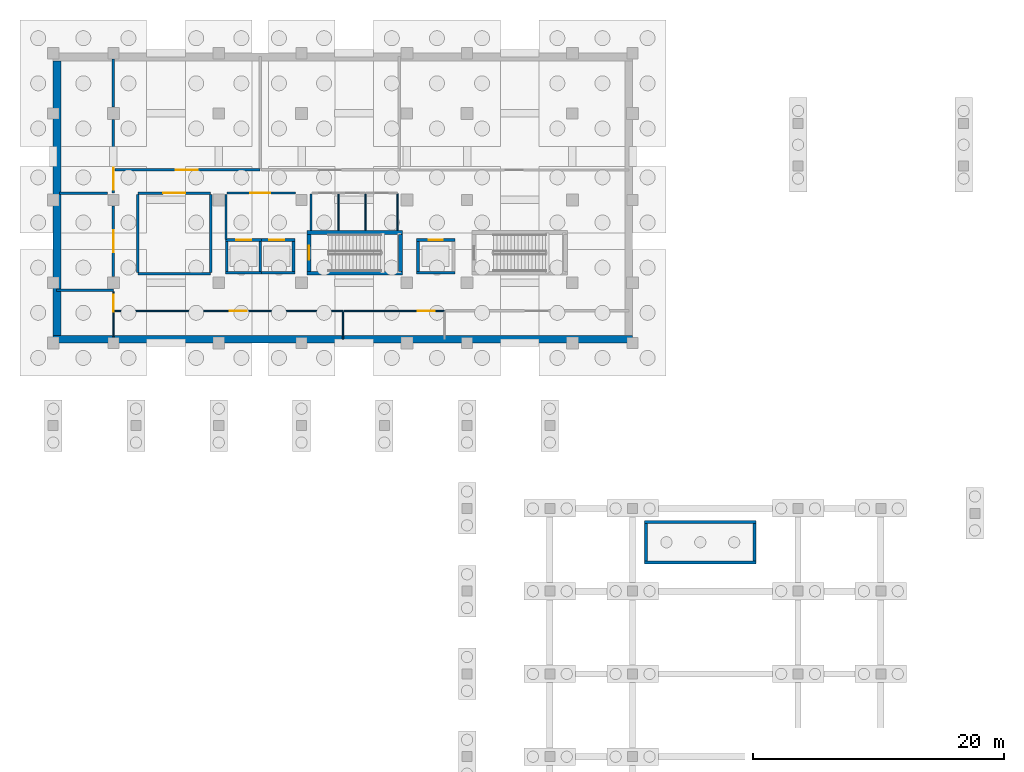
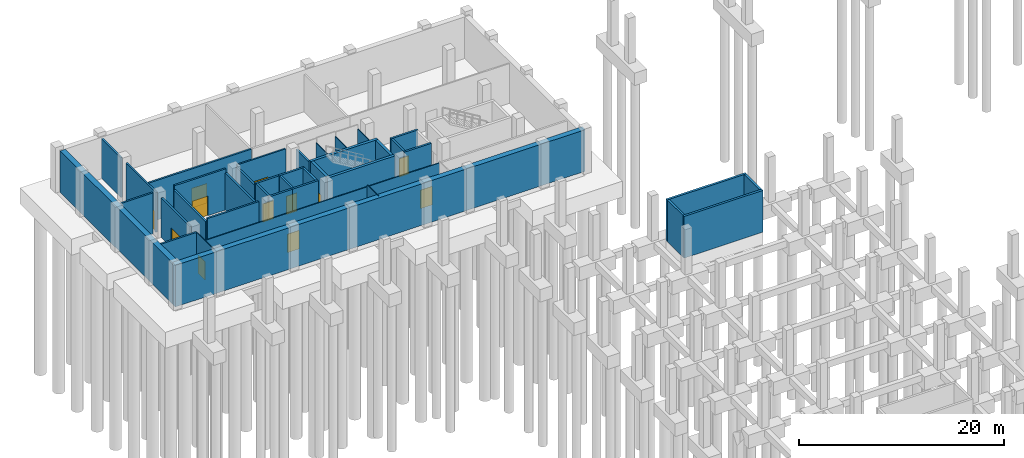
# One storey, part 10 of 23: 40 walls, 12 doors, 12 openings.
"""IFC4 building model written with IfcOpenShell, lengths in metres."""

from ifc_helpers import new_model, si_unit, direction, frame, frame_2d, origin, place, context, subcontext, project, spatial, rectangle, extrude, material, layer, layer_set, type_object, element, fill, save


model = new_model("IFC4")

# Units and contexts
model_context = context("Model", 3, precision=1e-05, world=origin(), true_north=direction((0.0, 1.0)))
body_context = subcontext(model_context, "Body", "Model", "MODEL_VIEW")
ifc_project = project(units=[si_unit("LENGTHUNIT", "METRE"), si_unit("AREAUNIT", "SQUARE_METRE"), si_unit("VOLUMEUNIT", "CUBIC_METRE"), si_unit("PLANEANGLEUNIT", "RADIAN"), si_unit("MASSUNIT", "GRAM", prefix="KILO")], contexts=[model_context])

# Site, building, storey
site_placement = place(None, origin())
site = spatial("IfcSite", under=ifc_project, at=site_placement, CompositionType="ELEMENT")
building_placement = place(site_placement, origin())
building = spatial("IfcBuilding", under=site, at=building_placement, Name="Dornvale Research Institute", CompositionType="ELEMENT")
storey_placement = place(building_placement, frame((0.0, 0.0, -5.39990234375)))
storey = spatial("IfcBuildingStorey", under=building, at=storey_placement, Name="B1", CompositionType="ELEMENT", Elevation=-5.39990234375)

# Wall, opening, door
ifc_material_1 = material(Name="Fire-Rated Gypsum Board on Cold-Formed Steel Studs", Category="steel")
ifc_layer_1 = layer(ifc_material_1, 0.179931640625)
ifc_layer_set_1 = layer_set([ifc_layer_1], Name="Fire-Rated Gypsum Board on Cold-Formed Steel Studs")
wall_type_1 = type_object("IfcWallType", Name="Partition_FireLobby_180", PredefinedType="PARTITIONING", material=ifc_layer_set_1)
wall_1_placement = place(storey_placement, frame((13.85009765625, 110.949951171875, 0.0), z_axis=(0.0, 0.0, 1.0), x_axis=(1.0, 0.0, 0.0)))
wall_1 = element("IfcWall", 1, at=wall_1_placement, inside=storey, type_object=wall_type_1, Name="B1 Fire Service Access Elevator Lobby north rated partition", PredefinedType="PARTITIONING", context=body_context, shape_type="SweptSolid", body=[
    extrude(rectangle(XDim=5.449951171875, YDim=0.179931640625, at=frame_2d((2.72509765625, 0.0))), origin(), (0.0, 0.0, 1.0), 4.89501953125),
])
opening_1_placement = place(wall_1_placement, frame((1.85009765625, 0.0, 0.0)))
opening_1 = element("IfcOpeningElement", 2, at=opening_1_placement, cuts=wall_1, Name="Opening FD-01", PredefinedType="OPENING", context=body_context, shape_type="SweptSolid", body=[
    extrude(rectangle(XDim=1.60009765625, YDim=2.25, at=frame_2d((0.800048828125, 1.125))), frame((0.0, 0.10498046875, 0.0), z_axis=(0.0, -1.0, 0.0), x_axis=(1.0, 0.0, 0.0)), (0.0, 0.0, 1.0), 0.2099609375),
])
ifc_material_2 = material(Name="Insulated Fire-Rated Hollow Metal Door Assembly")
door_type_1 = type_object("IfcDoorType", Name="Door_FireLobby_1600x2250", OperationType="SINGLE_SWING_LEFT", PredefinedType="DOOR", material=ifc_material_2)
door_1_placement = place(opening_1_placement, origin())
door_1 = element("IfcDoor", 3, at=door_1_placement, inside=storey, type_object=door_type_1, Name="B1 Fire Service Access Elevator Lobby door", OperationType="DOUBLE_DOOR_SINGLE_SWING", OverallHeight=2.25, OverallWidth=1.60009765625, PredefinedType="DOOR", context=body_context, shape_type="SweptSolid", body=[
    extrude(rectangle(XDim=1.60009765625, YDim=2.25, at=frame_2d((0.800048828125, 1.125))), frame((0.0, 0.02490234375, 0.0), z_axis=(0.0, -1.0, 0.0), x_axis=(1.0, 0.0, 0.0)), (0.0, 0.0, 1.0), 0.050048828125),
])
fill(opening_1, door_1)

# Walls
wall_2_placement = place(storey_placement, frame((13.780029296875, 107.22998046875, 0.0), z_axis=(0.0, 0.0, 1.0), x_axis=(0.0, 1.0, 0.0)))
element("IfcWall", 4, at=wall_2_placement, inside=storey, type_object=wall_type_1, Name="B1 Fire Service Access Elevator Lobby west rated partition", PredefinedType="PARTITIONING", context=body_context, shape_type="SweptSolid", body=[
    extrude(rectangle(XDim=3.610107421875, YDim=0.179931640625, at=frame_2d((1.80517578125, 0.0))), origin(), (0.0, 0.0, 1.0), 4.72998046875),
])
wall_3_placement = place(storey_placement, frame((20.56005859375, 107.97998046875, 0.0), z_axis=(0.0, 0.0, 1.0), x_axis=(0.0, 1.0, 0.0)))
element("IfcWall", 5, at=wall_3_placement, inside=storey, type_object=wall_type_1, Name="B1 Fire Service Access Elevator Lobby east rated partition", PredefinedType="PARTITIONING", context=body_context, shape_type="SweptSolid", body=[
    extrude(rectangle(XDim=2.909912109375, YDim=0.179931640625, at=frame_2d((1.455078125, 0.0))), origin(), (0.0, 0.0, 1.0), 4.429931640625),
])
ifc_material_3 = material(Name="Fire-Rated Gypsum Board on Cold-Formed Steel Studs", Category="steel")
ifc_layer_2 = layer(ifc_material_3, 0.199951171875)
ifc_layer_set_2 = layer_set([ifc_layer_2], Name="Fire-Rated Gypsum Board on Cold-Formed Steel Studs")
wall_type_2 = type_object("IfcWallType", Name="Partition_FireWall_200", PredefinedType="PARTITIONING", material=ifc_layer_set_2)
wall_4_placement = place(storey_placement, frame((6.75, 104.5, 0.0), z_axis=(0.0, 0.0, 1.0), x_axis=(1.0, 0.0, 0.0)))
element("IfcWall", 6, at=wall_4_placement, inside=storey, type_object=wall_type_2, Name="B1 V5 interior partition #7", PredefinedType="PARTITIONING", context=body_context, shape_type="SweptSolid", body=[
    extrude(rectangle(XDim=5.800048828125, YDim=0.199951171875, at=frame_2d((2.89990234375, 0.0))), origin(), (0.0, 0.0, 1.0), 4.89501953125),
])

# Wall, opening, door
wall_5_placement = place(storey_placement, frame((6.75, 110.949951171875, 0.0), z_axis=(0.0, 0.0, 1.0), x_axis=(1.0, 0.0, 0.0)))
wall_5 = element("IfcWall", 7, at=wall_5_placement, inside=storey, type_object=wall_type_2, Name="B1 V5 interior partition #8", PredefinedType="PARTITIONING", context=body_context, shape_type="SweptSolid", body=[
    extrude(rectangle(XDim=5.800048828125, YDim=0.199951171875, at=frame_2d((2.89990234375, 0.0))), origin(), (0.0, 0.0, 1.0), 4.89501953125),
])
opening_2_placement = place(wall_5_placement, frame((2.02001953125, 0.0, 0.0)))
opening_2 = element("IfcOpeningElement", 8, at=opening_2_placement, cuts=wall_5, Name="Opening ID-14", PredefinedType="OPENING", context=body_context, shape_type="SweptSolid", body=[
    extrude(rectangle(XDim=1.760009765625, YDim=2.35009765625, at=frame_2d((0.8798828125, 1.175048828125))), frame((0.0, 0.114990234375, 0.0), z_axis=(0.0, -1.0, 0.0), x_axis=(1.0, 0.0, 0.0)), (0.0, 0.0, 1.0), 0.22998046875),
])
ifc_material_4 = material(Name="Insulated Fire-Rated Hollow Metal Door Assembly")
door_type_2 = type_object("IfcDoorType", Name="Door_Plant_1760x2350", OperationType="SINGLE_SWING_LEFT", PredefinedType="DOOR", material=ifc_material_4)
door_2_placement = place(opening_2_placement, origin())
door_2 = element("IfcDoor", 9, at=door_2_placement, inside=storey, type_object=door_type_2, Name="B1 Emergency Power Battery Room door #4", OperationType="DOUBLE_DOOR_SINGLE_SWING", OverallHeight=2.35009765625, OverallWidth=1.760009765625, PredefinedType="DOOR", context=body_context, shape_type="SweptSolid", body=[
    extrude(rectangle(XDim=1.760009765625, YDim=2.35009765625, at=frame_2d((0.8798828125, 1.175048828125))), frame((0.0, 0.02490234375, 0.0), z_axis=(0.0, -1.0, 0.0), x_axis=(1.0, 0.0, 0.0)), (0.0, 0.0, 1.0), 0.050048828125),
])
fill(opening_2, door_2)

# Walls
for number, where, z_axis, x_axis, name in (
    (10, (6.75, 104.614990234375, 0.0), (0.0, 0.0, 1.0), (0.0, 1.0, 0.0), "B1 V5 interior partition #9"),
    (11, (12.550048828125, 104.614990234375, 0.0), (0.0, 0.0, 1.0), (0.0, 1.0, 0.0), "B1 V5 interior partition #10"),
):
    element("IfcWall", number, at=place(storey_placement, frame(where, z_axis=z_axis, x_axis=x_axis)), inside=storey, type_object=wall_type_2, Name=name, PredefinedType="PARTITIONING", context=body_context, shape_type="SweptSolid", body=[
        extrude(rectangle(XDim=6.219970703125, YDim=0.199951171875, at=frame_2d((3.10986328125, 0.0))), origin(), (0.0, 0.0, 1.0), 4.429931640625),
    ])
wall_6_placement = place(storey_placement, frame((0.280029296875, 103.199951171875, 0.0), z_axis=(0.0, 0.0, 1.0), x_axis=(1.0, 0.0, 0.0)))
element("IfcWall", 12, at=wall_6_placement, inside=storey, type_object=wall_type_2, Name="B1 V5 interior partition #11", PredefinedType="PARTITIONING", context=body_context, shape_type="SweptSolid", body=[
    extrude(rectangle(XDim=4.52001953125, YDim=0.199951171875, at=frame_2d((2.260009765625, 0.0))), origin(), (0.0, 0.0, 1.0), 4.72998046875),
])
wall_7_placement = place(storey_placement, frame((0.4951171875, 110.949951171875, 0.0), z_axis=(0.0, 0.0, 1.0), x_axis=(1.0, 0.0, 0.0)))
element("IfcWall", 13, at=wall_7_placement, inside=storey, type_object=wall_type_2, Name="B1 V5 interior partition #12", PredefinedType="PARTITIONING", context=body_context, shape_type="SweptSolid", body=[
    extrude(rectangle(XDim=3.8349609375, YDim=0.199951171875, at=frame_2d((1.91748046875, 0.0))), origin(), (0.0, 0.0, 1.0), 4.89501953125),
])

# Wall, opening, door
wall_8_placement = place(storey_placement, frame((4.800048828125, 104.294921875, 0.0), z_axis=(0.0, 0.0, 1.0), x_axis=(0.0, 1.0, 0.0)))
wall_8 = element("IfcWall", 14, at=wall_8_placement, inside=storey, type_object=wall_type_2, Name="B1 V5 interior partition #13", PredefinedType="PARTITIONING", context=body_context, shape_type="SweptSolid", body=[
    extrude(rectangle(XDim=5.635009765625, YDim=0.199951171875, at=frame_2d((2.8173828125, 0.0))), origin(), (0.0, 0.0, 1.0), 4.72998046875),
])
opening_3_placement = place(wall_8_placement, frame((1.925048828125, 0.0, 0.0)))
opening_3 = element("IfcOpeningElement", 15, at=opening_3_placement, cuts=wall_8, Name="Opening ID-14", PredefinedType="OPENING", context=body_context, shape_type="SweptSolid", body=[
    extrude(rectangle(XDim=1.760009765625, YDim=2.35009765625, at=frame_2d((0.8798828125, 1.175048828125))), frame((0.0, 0.114990234375, 0.0), z_axis=(0.0, -1.0, 0.0), x_axis=(1.0, 0.0, 0.0)), (0.0, 0.0, 1.0), 0.22998046875),
])
door_3_placement = place(opening_3_placement, origin())
door_3 = element("IfcDoor", 16, at=door_3_placement, inside=storey, type_object=door_type_2, Name="B1 Fire Pump and Standpipe Manifold Room door #5", OperationType="DOUBLE_DOOR_SINGLE_SWING", OverallHeight=2.35009765625, OverallWidth=1.760009765625, PredefinedType="DOOR", context=body_context, shape_type="SweptSolid", body=[
    extrude(rectangle(XDim=1.760009765625, YDim=2.35009765625, at=frame_2d((0.8798828125, 1.175048828125))), frame((0.0, 0.02490234375, 0.0), z_axis=(0.0, -1.0, 0.0), x_axis=(1.0, 0.0, 0.0)), (0.0, 0.0, 1.0), 0.050048828125),
])
fill(opening_3, door_3)

wall_9_placement = place(storey_placement, frame((4.800048828125, 110.949951171875, 0.0), z_axis=(0.0, 0.0, 1.0), x_axis=(0.0, 1.0, 0.0)))
wall_9 = element("IfcWall", 17, at=wall_9_placement, inside=storey, type_object=wall_type_2, Name="B1 V5 interior partition #14", PredefinedType="PARTITIONING", context=body_context, shape_type="SweptSolid", body=[
    extrude(rectangle(XDim=5.85498046875, YDim=0.199951171875, at=frame_2d((2.927490234375, 0.0))), origin(), (0.0, 0.0, 1.0), 4.72998046875),
])
opening_4_placement = place(wall_9_placement, frame((0.25, 0.0, 0.0)))
opening_4 = element("IfcOpeningElement", 18, at=opening_4_placement, cuts=wall_9, Name="Opening ID-14", PredefinedType="OPENING", context=body_context, shape_type="SweptSolid", body=[
    extrude(rectangle(XDim=1.760009765625, YDim=2.35009765625, at=frame_2d((0.8798828125, 1.175048828125))), frame((0.0, 0.114990234375, 0.0), z_axis=(0.0, -1.0, 0.0), x_axis=(1.0, 0.0, 0.0)), (0.0, 0.0, 1.0), 0.22998046875),
])
door_4_placement = place(opening_4_placement, origin())
door_4 = element("IfcDoor", 19, at=door_4_placement, inside=storey, type_object=door_type_2, Name="B1 Uninterruptible Power Supply Plant Room West Alcove door #6", OperationType="DOUBLE_DOOR_SINGLE_SWING", OverallHeight=2.35009765625, OverallWidth=1.760009765625, PredefinedType="DOOR", context=body_context, shape_type="SweptSolid", body=[
    extrude(rectangle(XDim=1.760009765625, YDim=2.35009765625, at=frame_2d((0.8798828125, 1.175048828125))), frame((0.0, 0.02490234375, 0.0), z_axis=(0.0, -1.0, 0.0), x_axis=(1.0, 0.0, 0.0)), (0.0, 0.0, 1.0), 0.050048828125),
])
fill(opening_4, door_4)

# Wall
wall_10_placement = place(storey_placement, frame((4.800048828125, 117.794921875, 0.0), z_axis=(0.0, 0.0, 1.0), x_axis=(0.0, 1.0, 0.0)))
element("IfcWall", 20, at=wall_10_placement, inside=storey, type_object=wall_type_2, Name="B1 V5 interior partition #15", PredefinedType="PARTITIONING", context=body_context, shape_type="SweptSolid", body=[
    extrude(rectangle(XDim=3.8349609375, YDim=0.199951171875, at=frame_2d((1.91748046875, 0.0))), origin(), (0.0, 0.0, 1.0), 4.72998046875),
])

# Wall, opening, door
wall_11_placement = place(storey_placement, frame((4.9150390625, 112.800048828125, 0.0), z_axis=(0.0, 0.0, 1.0), x_axis=(1.0, 0.0, 0.0)))
wall_11 = element("IfcWall", 21, at=wall_11_placement, inside=storey, type_object=wall_type_2, Name="B1 V5 interior partition #16", PredefinedType="PARTITIONING", context=body_context, shape_type="SweptSolid", body=[
    extrude(rectangle(XDim=11.5849609375, YDim=0.199951171875, at=frame_2d((5.79248046875, 0.0))), origin(), (0.0, 0.0, 1.0), 4.72998046875),
])
opening_5_placement = place(wall_11_placement, frame((4.85498046875, 0.0, 0.0)))
opening_5 = element("IfcOpeningElement", 22, at=opening_5_placement, cuts=wall_11, Name="Opening ID-14", PredefinedType="OPENING", context=body_context, shape_type="SweptSolid", body=[
    extrude(rectangle(XDim=1.760009765625, YDim=2.35009765625, at=frame_2d((0.8798828125, 1.175048828125))), frame((0.0, 0.114990234375, 0.0), z_axis=(0.0, -1.0, 0.0), x_axis=(1.0, 0.0, 0.0)), (0.0, 0.0, 1.0), 0.22998046875),
])
door_5_placement = place(opening_5_placement, origin())
door_5 = element("IfcDoor", 23, at=door_5_placement, inside=storey, type_object=door_type_2, Name="B1 Uninterruptible Power Supply Plant Room door #7", OperationType="DOUBLE_DOOR_SINGLE_SWING", OverallHeight=2.35009765625, OverallWidth=1.760009765625, PredefinedType="DOOR", context=body_context, shape_type="SweptSolid", body=[
    extrude(rectangle(XDim=1.760009765625, YDim=2.35009765625, at=frame_2d((0.8798828125, 1.175048828125))), frame((0.0, 0.02490234375, 0.0), z_axis=(0.0, -1.0, 0.0), x_axis=(1.0, 0.0, 0.0)), (0.0, 0.0, 1.0), 0.050048828125),
])
fill(opening_5, door_5)

# Walls
ifc_material_5 = material(Name="Acoustic Insulated Double-Stud Laboratory Partition")
ifc_layer_3 = layer(ifc_material_5, 0.10009765625)
ifc_layer_set_3 = layer_set([ifc_layer_3], Name="Acoustic Insulated Double-Stud Laboratory Partition")
wall_type_3 = type_object("IfcWallType", Name="Partition_Office_100", PredefinedType="PARTITIONING", material=ifc_layer_set_3)
for number, where, z_axis, x_axis, name in (
    (24, (22.75, 107.97998046875, 0.0), (0.0, 0.0, 1.0), (0.0, 1.0, 0.0), "B1 V5 interior partition #2"),
    (25, (24.89990234375, 107.97998046875, 0.0), (0.0, 0.0, 1.0), (0.0, 1.0, 0.0), "B1 V5 interior partition #4"),
    (26, (27.449951171875, 107.97998046875, 0.0), (0.0, 0.0, 1.0), (0.0, 1.0, 0.0), "B1 V5 interior partition #6"),
):
    element("IfcWall", number, at=place(storey_placement, frame(where, z_axis=z_axis, x_axis=x_axis)), inside=storey, type_object=wall_type_3, Name=name, PredefinedType="PARTITIONING", context=body_context, shape_type="SweptSolid", body=[
        extrude(rectangle(XDim=2.905029296875, YDim=0.10009765625, at=frame_2d((1.45263671875, 0.0))), origin(), (0.0, 0.0, 1.0), 4.429931640625),
    ])

# Wall, opening, door
wall_12_placement = place(storey_placement, frame((4.800048828125, 99.469970703125, 0.0), z_axis=(0.0, 0.0, 1.0), x_axis=(0.0, 1.0, 0.0)))
wall_12 = element("IfcWall", 27, at=wall_12_placement, inside=storey, type_object=wall_type_3, Name="B1 V5 interior partition #21", PredefinedType="PARTITIONING", context=body_context, shape_type="SweptSolid", body=[
    extrude(rectangle(XDim=3.614990234375, YDim=0.10009765625, at=frame_2d((1.8076171875, 0.0))), origin(), (0.0, 0.0, 1.0), 4.72998046875),
])
opening_6_placement = place(wall_12_placement, frame((2.02490234375, 0.0, 0.0)))
opening_6 = element("IfcOpeningElement", 28, at=opening_6_placement, cuts=wall_12, Name="Opening ID-15", PredefinedType="OPENING", context=body_context, shape_type="SweptSolid", body=[
    extrude(rectangle(XDim=1.340087890625, YDim=2.199951171875, at=frame_2d((0.669921875, 1.10009765625))), frame((0.0, 0.06494140625, 0.0), z_axis=(0.0, -1.0, 0.0), x_axis=(1.0, 0.0, 0.0)), (0.0, 0.0, 1.0), 0.130126953125),
])
ifc_material_6 = material(Name="Insulated Fire-Rated Hollow Metal Door Assembly")
door_type_3 = type_object("IfcDoorType", Name="Door_Storage_1340x2200", OperationType="SINGLE_SWING_LEFT", PredefinedType="DOOR", material=ifc_material_6)
door_6_placement = place(opening_6_placement, origin())
door_6 = element("IfcDoor", 29, at=door_6_placement, inside=storey, type_object=door_type_3, Name="B1 Bicycle Repair and Locker Vestibule door #10", OperationType="SINGLE_SWING_LEFT", OverallHeight=2.199951171875, OverallWidth=1.340087890625, PredefinedType="DOOR", context=body_context, shape_type="SweptSolid", body=[
    extrude(rectangle(XDim=1.340087890625, YDim=2.199951171875, at=frame_2d((0.669921875, 1.10009765625))), frame((0.0, 0.02490234375, 0.0), z_axis=(0.0, -1.0, 0.0), x_axis=(1.0, 0.0, 0.0)), (0.0, 0.0, 1.0), 0.050048828125),
])
fill(opening_6, door_6)

wall_13_placement = place(storey_placement, frame((4.864990234375, 101.550048828125, 0.0), z_axis=(0.0, 0.0, 1.0), x_axis=(1.0, 0.0, 0.0)))
wall_13 = element("IfcWall", 30, at=wall_13_placement, inside=storey, type_object=wall_type_3, Name="B1 V5 interior partition #22", PredefinedType="PARTITIONING", context=body_context, shape_type="SweptSolid", body=[
    extrude(rectangle(XDim=18.235107421875, YDim=0.10009765625, at=frame_2d((9.11767578125, 0.0))), origin(), (0.0, 0.0, 1.0), 4.72998046875),
])
opening_7_placement = place(wall_13_placement, frame((9.215087890625, 0.0, 0.0)))
opening_7 = element("IfcOpeningElement", 31, at=opening_7_placement, cuts=wall_13, Name="Opening ID-15", PredefinedType="OPENING", context=body_context, shape_type="SweptSolid", body=[
    extrude(rectangle(XDim=1.340087890625, YDim=2.199951171875, at=frame_2d((0.669921875, 1.10009765625))), frame((0.0, 0.06494140625, 0.0), z_axis=(0.0, -1.0, 0.0), x_axis=(1.0, 0.0, 0.0)), (0.0, 0.0, 1.0), 0.130126953125),
])
door_7_placement = place(opening_7_placement, origin())
door_7 = element("IfcDoor", 32, at=door_7_placement, inside=storey, type_object=door_type_3, Name="B1 Bicycle Storage Room (96 Spaces) door #11", OperationType="SINGLE_SWING_RIGHT", OverallHeight=2.199951171875, OverallWidth=1.340087890625, PredefinedType="DOOR", context=body_context, shape_type="SweptSolid", body=[
    extrude(rectangle(XDim=1.340087890625, YDim=2.199951171875, at=frame_2d((0.669921875, 1.10009765625))), frame((0.0, 0.02490234375, 0.0), z_axis=(0.0, -1.0, 0.0), x_axis=(1.0, 0.0, 0.0)), (0.0, 0.0, 1.0), 0.050048828125),
])
fill(opening_7, door_7)

# Wall
wall_14_placement = place(storey_placement, frame((23.10009765625, 99.280029296875, 0.0), z_axis=(0.0, 0.0, 1.0), x_axis=(0.0, 1.0, 0.0)))
element("IfcWall", 33, at=wall_14_placement, inside=storey, type_object=wall_type_3, Name="B1 V5 interior partition #23", PredefinedType="PARTITIONING", context=body_context, shape_type="SweptSolid", body=[
    extrude(rectangle(XDim=2.205078125, YDim=0.10009765625, at=frame_2d((1.1025390625, 0.0))), origin(), (0.0, 0.0, 1.0), 4.9599609375),
])

# Wall, opening, door
wall_15_placement = place(storey_placement, frame((23.1650390625, 101.550048828125, 0.0), z_axis=(0.0, 0.0, 1.0), x_axis=(1.0, 0.0, 0.0)))
wall_15 = element("IfcWall", 34, at=wall_15_placement, inside=storey, type_object=wall_type_3, Name="B1 V5 interior partition #24", PredefinedType="PARTITIONING", context=body_context, shape_type="SweptSolid", body=[
    extrude(rectangle(XDim=8.034912109375, YDim=0.10009765625, at=frame_2d((4.017578125, 0.0))), origin(), (0.0, 0.0, 1.0), 4.72998046875),
])
opening_8_placement = place(wall_15_placement, frame((5.9150390625, 0.0, 0.0)))
opening_8 = element("IfcOpeningElement", 35, at=opening_8_placement, cuts=wall_15, Name="Opening ID-15", PredefinedType="OPENING", context=body_context, shape_type="SweptSolid", body=[
    extrude(rectangle(XDim=1.340087890625, YDim=2.199951171875, at=frame_2d((0.669921875, 1.10009765625))), frame((0.0, 0.06494140625, 0.0), z_axis=(0.0, -1.0, 0.0), x_axis=(1.0, 0.0, 0.0)), (0.0, 0.0, 1.0), 0.130126953125),
])
door_8_placement = place(opening_8_placement, origin())
door_8 = element("IfcDoor", 36, at=door_8_placement, inside=storey, type_object=door_type_3, Name="B1 Cyclist Shower and Locker Suite door #12", OperationType="SINGLE_SWING_LEFT", OverallHeight=2.199951171875, OverallWidth=1.340087890625, PredefinedType="DOOR", context=body_context, shape_type="SweptSolid", body=[
    extrude(rectangle(XDim=1.340087890625, YDim=2.199951171875, at=frame_2d((0.669921875, 1.10009765625))), frame((0.0, 0.02490234375, 0.0), z_axis=(0.0, -1.0, 0.0), x_axis=(1.0, 0.0, 0.0)), (0.0, 0.0, 1.0), 0.050048828125),
])
fill(opening_8, door_8)

# Walls
ifc_material_7 = material(Name="Concrete f'c 40 MPa (C32/40)", Category="concrete")
ifc_layer_4 = layer(ifc_material_7, 0.60009765625)
ifc_layer_set_4 = layer_set([ifc_layer_4], Name="Concrete f'c 40 MPa (C32/40)")
wall_type_4 = type_object("IfcWallType", Name="RetainingWall_RC600_Ext", PredefinedType="USERDEFINED", material=ifc_layer_set_4)
wall_16_placement = place(storey_placement, frame((0.0, 99.300048828125, 0.0), z_axis=(0.0, 0.0, 1.0), x_axis=(1.0, 0.0, 0.0)))
element("IfcWall", 37, at=wall_16_placement, inside=storey, type_object=wall_type_4, Name="Basement perimeter retaining wall #1", ObjectType="RETAININGWALL", PredefinedType="USERDEFINED", context=body_context, shape_type="SweptSolid", body=[
    extrude(rectangle(XDim=46.199951171875, YDim=0.60009765625, at=frame_2d((23.10009765625, 0.0))), origin(), (0.0, 0.0, 1.0), 4.9599609375),
])
wall_17_placement = place(storey_placement, frame((0.300048828125, 99.60009765625, 0.0), z_axis=(0.0, 0.0, 1.0), x_axis=(0.0, 1.0, 0.0)))
element("IfcWall", 38, at=wall_17_placement, inside=storey, type_object=wall_type_4, Name="Basement perimeter retaining wall #3", ObjectType="RETAININGWALL", PredefinedType="USERDEFINED", context=body_context, shape_type="SweptSolid", body=[
    extrude(rectangle(XDim=21.89990234375, YDim=0.60009765625, at=frame_2d((10.949951171875, 0.0))), origin(), (0.0, 0.0, 1.0), 4.9599609375),
])
ifc_material_8 = material(Name="Concrete f'c 45 MPa (C35/45)", Category="concrete")
ifc_layer_5 = layer(ifc_material_8, 0.25)
ifc_layer_set_5 = layer_set([ifc_layer_5], Name="Concrete f'c 45 MPa (C35/45)")
wall_type_5 = type_object("IfcWallType", Name="ShearWall_Core_250", PredefinedType="SHEAR", material=ifc_layer_set_5)
for number, where, z_axis, x_axis, name in (
    (39, (47.14990234375, 81.47509765625, 0.0), (0.0, 0.0, 1.0), (1.0, 0.0, 0.0), "B1 ST-8 foundation shaft wall south"),
    (40, (47.14990234375, 84.72509765625, 0.0), (0.0, 0.0, 1.0), (1.0, 0.0, 0.0), "B1 ST-8 foundation shaft wall north"),
):
    element("IfcWall", number, at=place(storey_placement, frame(where, z_axis=z_axis, x_axis=x_axis)), inside=storey, type_object=wall_type_5, Name=name, PredefinedType="SHEAR", context=body_context, shape_type="SweptSolid", body=[
        extrude(rectangle(XDim=8.900146484375, YDim=0.25, at=frame_2d((4.4501953125, 0.0))), origin(), (0.0, 0.0, 1.0), 4.97998046875),
    ])
for number, where, z_axis, x_axis, name in (
    (41, (47.27490234375, 81.60009765625, 0.0), (0.0, 0.0, 1.0), (0.0, 1.0, 0.0), "B1 ST-8 foundation shaft wall west"),
    (42, (55.925048828125, 81.60009765625, 0.0), (0.0, 0.0, 1.0), (0.0, 1.0, 0.0), "B1 ST-8 foundation shaft wall east"),
):
    element("IfcWall", number, at=place(storey_placement, frame(where, z_axis=z_axis, x_axis=x_axis)), inside=storey, type_object=wall_type_5, Name=name, PredefinedType="SHEAR", context=body_context, shape_type="SweptSolid", body=[
        extrude(rectangle(XDim=3.0, YDim=0.25, at=frame_2d((1.5, 0.0))), origin(), (0.0, 0.0, 1.0), 4.97998046875),
    ])
ifc_material_9 = material(Name="Concrete f'c 50 MPa (C40/50)", Category="concrete")
ifc_layer_6 = layer(ifc_material_9, 0.300048828125)
ifc_layer_set_6 = layer_set([ifc_layer_6], Name="Concrete f'c 50 MPa (C40/50)")
wall_type_6 = type_object("IfcWallType", Name="ShearWall_Core_300", PredefinedType="SHEAR", material=ifc_layer_set_6)
for number, where, z_axis, x_axis, name in (
    (43, (20.25, 104.550048828125, 0.0), (0.0, 0.0, 1.0), (1.0, 0.0, 0.0), "B1 ST-1 shaft shear wall south"),
    (44, (20.25, 107.81005859375, 0.0), (0.0, 0.0, 1.0), (1.0, 0.0, 0.0), "B1 ST-1 shaft shear wall north"),
):
    element("IfcWall", number, at=place(storey_placement, frame(where, z_axis=z_axis, x_axis=x_axis)), inside=storey, type_object=wall_type_6, Name=name, PredefinedType="SHEAR", context=body_context, shape_type="SweptSolid", body=[
        extrude(rectangle(XDim=7.60009765625, YDim=0.300048828125, at=frame_2d((3.800048828125, 0.0))), origin(), (0.0, 0.0, 1.0), 4.97998046875),
    ])

# Wall, opening, door
wall_18_placement = place(storey_placement, frame((20.39990234375, 104.699951171875, 0.0), z_axis=(0.0, 0.0, 1.0), x_axis=(0.0, 1.0, 0.0)))
wall_18 = element("IfcWall", 45, at=wall_18_placement, inside=storey, type_object=wall_type_6, Name="B1 ST-1 shaft shear wall west", PredefinedType="SHEAR", context=body_context, shape_type="SweptSolid", body=[
    extrude(rectangle(XDim=2.9599609375, YDim=0.300048828125, at=frame_2d((1.47998046875, 0.0))), origin(), (0.0, 0.0, 1.0), 4.97998046875),
])
opening_9_placement = place(wall_18_placement, frame((0.919921875, 0.0, 0.0)))
opening_9 = element("IfcOpeningElement", 46, at=opening_9_placement, cuts=wall_18, Name="Opening SD-01", PredefinedType="OPENING", context=body_context, shape_type="SweptSolid", body=[
    extrude(rectangle(XDim=1.1201171875, YDim=2.199951171875, at=frame_2d((0.56005859375, 1.10009765625))), frame((0.0, 0.1650390625, 0.0), z_axis=(0.0, -1.0, 0.0), x_axis=(1.0, 0.0, 0.0)), (0.0, 0.0, 1.0), 0.330078125),
])
ifc_material_10 = material(Name="Insulated Fire-Rated Hollow Metal Door Assembly")
door_type_4 = type_object("IfcDoorType", Name="Door_Stair_1120x2200", OperationType="SINGLE_SWING_LEFT", PredefinedType="DOOR", material=ifc_material_10)
door_9_placement = place(opening_9_placement, origin())
door_9 = element("IfcDoor", 47, at=door_9_placement, inside=storey, type_object=door_type_4, Name="B1 ST-1 exit stair door #1", OperationType="SINGLE_SWING_LEFT", OverallHeight=2.199951171875, OverallWidth=1.1201171875, PredefinedType="DOOR", context=body_context, shape_type="SweptSolid", body=[
    extrude(rectangle(XDim=1.1201171875, YDim=2.199951171875, at=frame_2d((0.56005859375, 1.10009765625))), frame((0.0, 0.02490234375, 0.0), z_axis=(0.0, -1.0, 0.0), x_axis=(1.0, 0.0, 0.0)), (0.0, 0.0, 1.0), 0.050048828125),
])
fill(opening_9, door_9)

# Walls
wall_19_placement = place(storey_placement, frame((27.699951171875, 104.699951171875, 0.0), z_axis=(0.0, 0.0, 1.0), x_axis=(0.0, 1.0, 0.0)))
element("IfcWall", 48, at=wall_19_placement, inside=storey, type_object=wall_type_6, Name="B1 ST-1 shaft shear wall east", PredefinedType="SHEAR", context=body_context, shape_type="SweptSolid", body=[
    extrude(rectangle(XDim=2.9599609375, YDim=0.300048828125, at=frame_2d((1.47998046875, 0.0))), origin(), (0.0, 0.0, 1.0), 4.97998046875),
])
ifc_material_11 = material(Name="Concrete f'c 45 MPa (C35/45)", Category="concrete")
ifc_layer_7 = layer(ifc_material_11, 0.219970703125)
ifc_layer_set_7 = layer_set([ifc_layer_7], Name="Concrete f'c 45 MPa (C35/45)")
wall_type_7 = type_object("IfcWallType", Name="ShearWall_Shaft_220", PredefinedType="SHEAR", material=ifc_layer_set_7)
wall_20_placement = place(storey_placement, frame((13.72998046875, 104.590087890625, 0.0), z_axis=(0.0, 0.0, 1.0), x_axis=(1.0, 0.0, 0.0)))
element("IfcWall", 49, at=wall_20_placement, inside=storey, type_object=wall_type_7, Name="B1 FS1 elevator shaft wall south", PredefinedType="SHEAR", context=body_context, shape_type="SweptSolid", body=[
    extrude(rectangle(XDim=2.89013671875, YDim=0.219970703125, at=frame_2d((1.445068359375, 0.0))), origin(), (0.0, 0.0, 1.0), 4.97998046875),
])

# Wall, opening, door
wall_21_placement = place(storey_placement, frame((13.72998046875, 107.2099609375, 0.0), z_axis=(0.0, 0.0, 1.0), x_axis=(1.0, 0.0, 0.0)))
wall_21 = element("IfcWall", 50, at=wall_21_placement, inside=storey, type_object=wall_type_7, Name="B1 FS1 elevator shaft wall north", PredefinedType="SHEAR", context=body_context, shape_type="SweptSolid", body=[
    extrude(rectangle(XDim=2.89013671875, YDim=0.219970703125, at=frame_2d((1.445068359375, 0.0))), origin(), (0.0, 0.0, 1.0), 4.97998046875),
])
opening_10_placement = place(wall_21_placement, frame((0.844970703125, 0.0, 0.0)))
opening_10 = element("IfcOpeningElement", 51, at=opening_10_placement, cuts=wall_21, Name="Opening LD-01", PredefinedType="OPENING", context=body_context, shape_type="SweptSolid", body=[
    extrude(rectangle(XDim=1.199951171875, YDim=2.199951171875, at=frame_2d((0.60009765625, 1.10009765625))), frame((0.0, 0.125, 0.0), z_axis=(0.0, -1.0, 0.0), x_axis=(1.0, 0.0, 0.0)), (0.0, 0.0, 1.0), 0.25),
])
ifc_material_12 = material(Name="Brushed Stainless Steel Sliding Elevator Landing Door", Category="steel")
door_type_5 = type_object("IfcDoorType", Name="Door_LiftLanding_FSAE_1200x2200", OperationType="SINGLE_SWING_LEFT", PredefinedType="DOOR", material=ifc_material_12)
door_10_placement = place(opening_10_placement, origin())
door_10 = element("IfcDoor", 52, at=door_10_placement, inside=storey, type_object=door_type_5, Name="B1 FS1 sliding elevator landing door #1", OperationType="DOUBLE_DOOR_SLIDING", OverallHeight=2.199951171875, OverallWidth=1.199951171875, PredefinedType="DOOR", context=body_context, shape_type="SweptSolid", body=[
    extrude(rectangle(XDim=1.199951171875, YDim=2.199951171875, at=frame_2d((0.60009765625, 1.10009765625))), frame((0.0, 0.02490234375, 0.0), z_axis=(0.0, -1.0, 0.0), x_axis=(1.0, 0.0, 0.0)), (0.0, 0.0, 1.0), 0.050048828125),
])
fill(opening_10, door_10)

# Walls
for number, where, z_axis, x_axis, name in (
    (53, (13.840087890625, 104.699951171875, 0.0), (0.0, 0.0, 1.0), (0.0, 1.0, 0.0), "B1 FS1 elevator shaft wall west"),
    (54, (16.510009765625, 104.699951171875, 0.0), (0.0, 0.0, 1.0), (0.0, 1.0, 0.0), "B1 FS1 elevator shaft wall east"),
):
    element("IfcWall", number, at=place(storey_placement, frame(where, z_axis=z_axis, x_axis=x_axis)), inside=storey, type_object=wall_type_7, Name=name, PredefinedType="SHEAR", context=body_context, shape_type="SweptSolid", body=[
        extrude(rectangle(XDim=2.400146484375, YDim=0.219970703125, at=frame_2d((1.2001953125, 0.0))), origin(), (0.0, 0.0, 1.0), 4.97998046875),
    ])
wall_22_placement = place(storey_placement, frame((16.3798828125, 104.590087890625, 0.0), z_axis=(0.0, 0.0, 1.0), x_axis=(1.0, 0.0, 0.0)))
element("IfcWall", 55, at=wall_22_placement, inside=storey, type_object=wall_type_7, Name="B1 FS2 elevator shaft wall south", PredefinedType="SHEAR", context=body_context, shape_type="SweptSolid", body=[
    extrude(rectangle(XDim=2.89013671875, YDim=0.219970703125, at=frame_2d((1.445068359375, 0.0))), origin(), (0.0, 0.0, 1.0), 4.97998046875),
])

# Wall, opening, door
wall_23_placement = place(storey_placement, frame((16.3798828125, 107.2099609375, 0.0), z_axis=(0.0, 0.0, 1.0), x_axis=(1.0, 0.0, 0.0)))
wall_23 = element("IfcWall", 56, at=wall_23_placement, inside=storey, type_object=wall_type_7, Name="B1 FS2 elevator shaft wall north", PredefinedType="SHEAR", context=body_context, shape_type="SweptSolid", body=[
    extrude(rectangle(XDim=2.89013671875, YDim=0.219970703125, at=frame_2d((1.445068359375, 0.0))), origin(), (0.0, 0.0, 1.0), 4.97998046875),
])
opening_11_placement = place(wall_23_placement, frame((0.844970703125, 0.0, 0.0)))
opening_11 = element("IfcOpeningElement", 57, at=opening_11_placement, cuts=wall_23, Name="Opening LD-01", PredefinedType="OPENING", context=body_context, shape_type="SweptSolid", body=[
    extrude(rectangle(XDim=1.199951171875, YDim=2.199951171875, at=frame_2d((0.60009765625, 1.10009765625))), frame((0.0, 0.125, 0.0), z_axis=(0.0, -1.0, 0.0), x_axis=(1.0, 0.0, 0.0)), (0.0, 0.0, 1.0), 0.25),
])
door_11_placement = place(opening_11_placement, origin())
door_11 = element("IfcDoor", 58, at=door_11_placement, inside=storey, type_object=door_type_5, Name="B1 FS2 sliding elevator landing door #13", OperationType="DOUBLE_DOOR_SLIDING", OverallHeight=2.199951171875, OverallWidth=1.199951171875, PredefinedType="DOOR", context=body_context, shape_type="SweptSolid", body=[
    extrude(rectangle(XDim=1.199951171875, YDim=2.199951171875, at=frame_2d((0.60009765625, 1.10009765625))), frame((0.0, 0.02490234375, 0.0), z_axis=(0.0, -1.0, 0.0), x_axis=(1.0, 0.0, 0.0)), (0.0, 0.0, 1.0), 0.050048828125),
])
fill(opening_11, door_11)

# Walls
wall_24_placement = place(storey_placement, frame((19.159912109375, 104.699951171875, 0.0), z_axis=(0.0, 0.0, 1.0), x_axis=(0.0, 1.0, 0.0)))
element("IfcWall", 59, at=wall_24_placement, inside=storey, type_object=wall_type_7, Name="B1 FS2 elevator shaft wall east", PredefinedType="SHEAR", context=body_context, shape_type="SweptSolid", body=[
    extrude(rectangle(XDim=2.400146484375, YDim=0.219970703125, at=frame_2d((1.2001953125, 0.0))), origin(), (0.0, 0.0, 1.0), 4.97998046875),
])
wall_25_placement = place(storey_placement, frame((28.97998046875, 104.590087890625, 0.0), z_axis=(0.0, 0.0, 1.0), x_axis=(1.0, 0.0, 0.0)))
element("IfcWall", 60, at=wall_25_placement, inside=storey, type_object=wall_type_7, Name="B1 LP1 elevator shaft wall south", PredefinedType="SHEAR", context=body_context, shape_type="SweptSolid", body=[
    extrude(rectangle(XDim=3.0400390625, YDim=0.219970703125, at=frame_2d((1.52001953125, 0.0))), origin(), (0.0, 0.0, 1.0), 4.97998046875),
])

# Wall, opening, door
wall_26_placement = place(storey_placement, frame((28.97998046875, 107.2099609375, 0.0), z_axis=(0.0, 0.0, 1.0), x_axis=(1.0, 0.0, 0.0)))
wall_26 = element("IfcWall", 61, at=wall_26_placement, inside=storey, type_object=wall_type_7, Name="B1 LP1 elevator shaft wall north", PredefinedType="SHEAR", context=body_context, shape_type="SweptSolid", body=[
    extrude(rectangle(XDim=3.0400390625, YDim=0.219970703125, at=frame_2d((1.52001953125, 0.0))), origin(), (0.0, 0.0, 1.0), 4.97998046875),
])
opening_12_placement = place(wall_26_placement, frame((0.969970703125, 0.0, 0.0)))
opening_12 = element("IfcOpeningElement", 62, at=opening_12_placement, cuts=wall_26, Name="Opening LD-02", PredefinedType="OPENING", context=body_context, shape_type="SweptSolid", body=[
    extrude(rectangle(XDim=1.10009765625, YDim=2.199951171875, at=frame_2d((0.550048828125, 1.10009765625))), frame((0.0, 0.125, 0.0), z_axis=(0.0, -1.0, 0.0), x_axis=(1.0, 0.0, 0.0)), (0.0, 0.0, 1.0), 0.25),
])
ifc_material_13 = material(Name="Brushed Stainless Steel Sliding Elevator Landing Door", Category="steel")
door_type_6 = type_object("IfcDoorType", Name="Door_LiftLanding_Pass_1100x2200", OperationType="SINGLE_SWING_LEFT", PredefinedType="DOOR", material=ifc_material_13)
door_12_placement = place(opening_12_placement, origin())
door_12 = element("IfcDoor", 63, at=door_12_placement, inside=storey, type_object=door_type_6, Name="B1 LP1 sliding elevator landing door #25", OperationType="SLIDING_TO_LEFT", OverallHeight=2.199951171875, OverallWidth=1.10009765625, PredefinedType="DOOR", context=body_context, shape_type="SweptSolid", body=[
    extrude(rectangle(XDim=1.10009765625, YDim=2.199951171875, at=frame_2d((0.550048828125, 1.10009765625))), frame((0.0, 0.02490234375, 0.0), z_axis=(0.0, -1.0, 0.0), x_axis=(1.0, 0.0, 0.0)), (0.0, 0.0, 1.0), 0.050048828125),
])
fill(opening_12, door_12)

# Wall
wall_27_placement = place(storey_placement, frame((29.090087890625, 104.699951171875, 0.0), z_axis=(0.0, 0.0, 1.0), x_axis=(0.0, 1.0, 0.0)))
element("IfcWall", 64, at=wall_27_placement, inside=storey, type_object=wall_type_7, Name="B1 LP1 elevator shaft wall west", PredefinedType="SHEAR", context=body_context, shape_type="SweptSolid", body=[
    extrude(rectangle(XDim=2.400146484375, YDim=0.219970703125, at=frame_2d((1.2001953125, 0.0))), origin(), (0.0, 0.0, 1.0), 4.97998046875),
])

save(model, "model.ifc")
